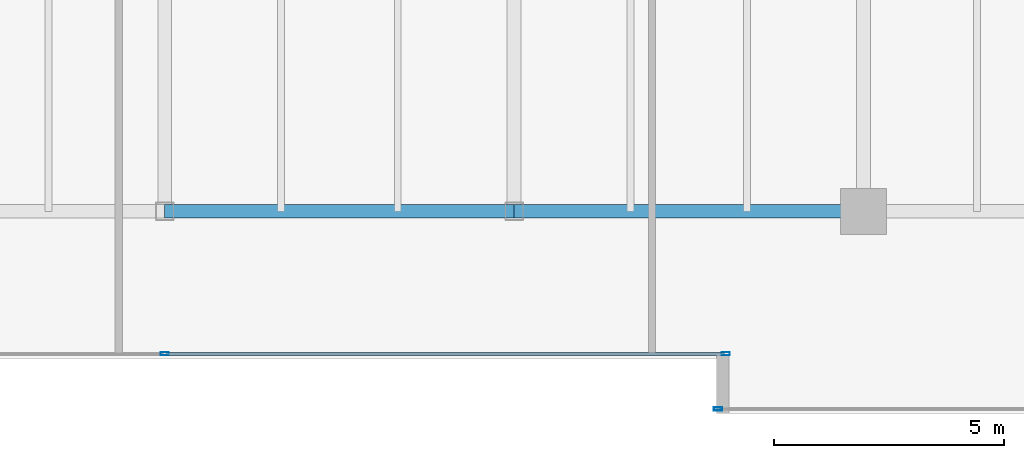
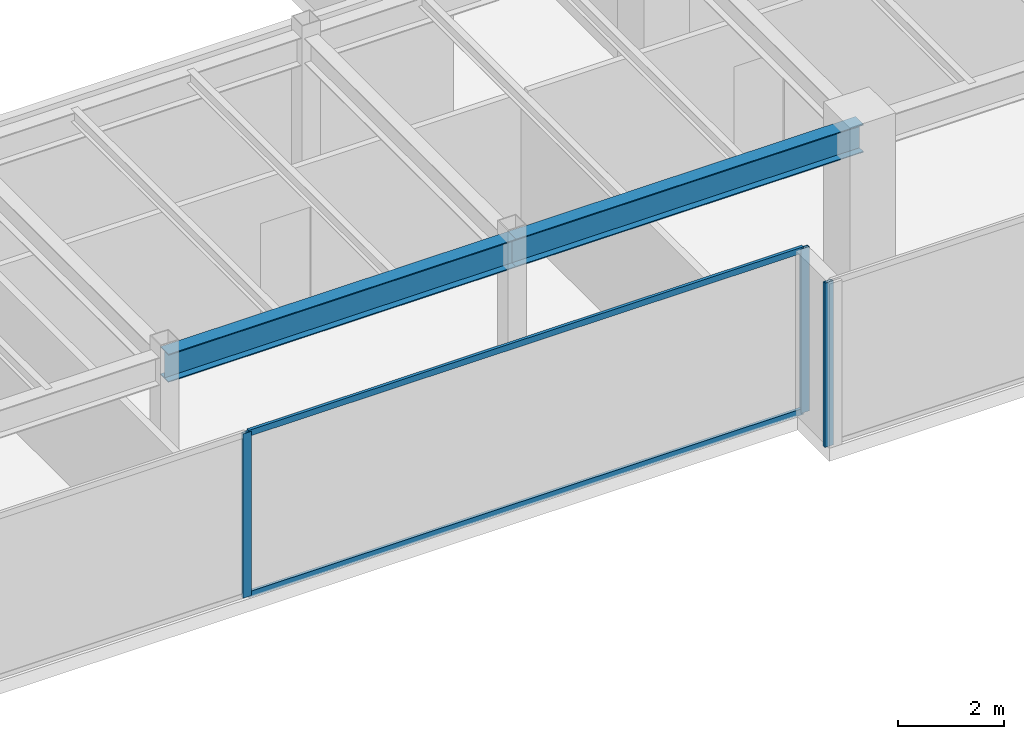
# One storey, part 11 of 33: 5 members, 2 beams, 2 elements without a shape of their own.
"""IFC4 building model written with IfcOpenShell, lengths in metres."""

import ifcopenshell
import ifcopenshell.guid

model = None  # the IFC model being written
_history = None  # IfcOwnerHistory: only IFC2X3 demands one
_inside = {}  # id of a spatial element -> (the spatial element, [elements in it])
_under = {}  # id of a project, library or spatial element -> (it, [spatial elements below it])
_declared = {}  # id of a project -> (the project, [libraries it declares])
_typed = {}  # id of a type object -> (the type object, [elements of that type])
_made_of = {}  # id of a material, layer set ... -> (it, [elements and type objects made of it])


def new_model(schema):
    """Start an empty IFC model of exactly this schema.

    Asked for "IFC4X3", IfcOpenShell would pick the latest addendum, in which some entities
    have other attributes; the version numbers below select the first issue.
    IFC2X3 requires an IfcOwnerHistory on every rooted entity: one is made here for all.
    """
    global model, _history
    if schema == "IFC4X3":
        model = ifcopenshell.file(schema_version=(4, 3, 0, 0))
    else:
        model = ifcopenshell.file(schema=schema)
    _inside.clear()
    _under.clear()
    _declared.clear()
    _typed.clear()
    _made_of.clear()
    _history = None
    if model.schema == "IFC2X3":
        org = make("IfcOrganization", Name="unknown")
        user = make(
            "IfcPersonAndOrganization",
            ThePerson=make("IfcPerson", FamilyName="unknown"),
            TheOrganization=org,
        )
        app = make(
            "IfcApplication",
            ApplicationDeveloper=org,
            Version="unknown",
            ApplicationFullName="unknown",
            ApplicationIdentifier="unknown",
        )
        _history = make(
            "IfcOwnerHistory",
            OwningUser=user,
            OwningApplication=app,
            ChangeAction="ADDED",
            CreationDate=0,
        )
    return model


def make(cls, **values):
    """One entity of the class cls with the attributes given. An attribute that is None is left unset."""
    return model.create_entity(
        cls, **{name: value for name, value in values.items() if value is not None}
    )


def rooted(cls, **values):
    """An entity with a GlobalId (a new one), such as an element, a storey or a relation."""
    return make(cls, GlobalId=ifcopenshell.guid.new(), OwnerHistory=_history, **values)


def si_unit(unit_type, name, prefix=None):
    """IfcSIUnit, for example si_unit("LENGTHUNIT", "METRE", prefix="MILLI")."""
    return make("IfcSIUnit", UnitType=unit_type, Prefix=prefix, Name=name)


def assignment(units):
    """IfcUnitAssignment: the units of a project."""
    return None if units is None else make("IfcUnitAssignment", Units=units)


def point(xyz):
    """IfcCartesianPoint."""
    return None if xyz is None else make("IfcCartesianPoint", Coordinates=xyz)


def direction(xyz):
    """IfcDirection."""
    return None if xyz is None else make("IfcDirection", DirectionRatios=xyz)


def frame(location, z_axis=None, x_axis=None):
    """IfcAxis2Placement3D, a coordinate frame: its origin and axes. An axis left out is left unset."""
    return make(
        "IfcAxis2Placement3D",
        Location=point(location),
        Axis=direction(z_axis),
        RefDirection=direction(x_axis),
    )


def frame_2d(location, x_axis=None):
    """IfcAxis2Placement2D, a coordinate frame in the plane: its origin and x axis."""
    return make(
        "IfcAxis2Placement2D", Location=point(location), RefDirection=direction(x_axis)
    )


def origin():
    """The frame at (0, 0, 0) with its axes left unset."""
    return frame((0.0, 0.0, 0.0))


def origin_2d():
    """The frame at (0, 0) in the plane with its x axis left unset."""
    return frame_2d((0.0, 0.0))


def place(relative_to, where):
    """IfcLocalPlacement: puts the frame where relative to a parent placement (None: the world)."""
    return make(
        "IfcLocalPlacement", PlacementRelTo=relative_to, RelativePlacement=where
    )


def context(
    kind, dimensions, precision=None, world=None, true_north=None, identifier=None
):
    """IfcGeometricRepresentationContext, for example the 3D "Model" context."""
    return make(
        "IfcGeometricRepresentationContext",
        ContextIdentifier=identifier,
        ContextType=kind,
        CoordinateSpaceDimension=dimensions,
        Precision=precision,
        WorldCoordinateSystem=world,
        TrueNorth=true_north,
    )


def subcontext(parent, identifier, kind, view, scale=None):
    """IfcGeometricRepresentationSubContext, for example "Body" below "Model"."""
    return make(
        "IfcGeometricRepresentationSubContext",
        ContextIdentifier=identifier,
        ContextType=kind,
        ParentContext=parent,
        TargetScale=scale,
        TargetView=view,
    )


def project(units=None, contexts=None):
    """IfcProject with its units and contexts."""
    return rooted(
        "IfcProject",
        Name="project",
        RepresentationContexts=contexts,
        UnitsInContext=assignment(units),
    )


def spatial(cls, under=None, at=None, **own):
    """A site, building, storey or space (cls), placed at a placement, below another one or the project."""
    s = rooted(cls, ObjectPlacement=at, **own)
    if under is not None:
        _under.setdefault(under.id(), (under, []))[1].append(s)
    return s


def profile(cls, at=None, kind="AREA", **sizes):
    """A parametric profile (cls). Its sizes go by their IFC names, for example OverallWidth=200.0."""
    return make(cls, ProfileType=kind, Position=at, **sizes)


def hollow_rectangle(**sizes):
    """IfcRectangleHollowProfileDef."""
    return profile("IfcRectangleHollowProfileDef", **sizes)


def i_section(**sizes):
    """IfcIShapeProfileDef."""
    return profile("IfcIShapeProfileDef", **sizes)


def extrude(swept, where, along, depth):
    """IfcExtrudedAreaSolid: the profile swept, set in the frame where, extruded along a direction by depth."""
    return make(
        "IfcExtrudedAreaSolid",
        SweptArea=swept,
        Position=where,
        ExtrudedDirection=direction(along),
        Depth=depth,
    )


def shape(context_of_items, identifier, shape_type, items):
    """IfcShapeRepresentation: the items that make up one representation, for example the "Body"."""
    return make(
        "IfcShapeRepresentation",
        ContextOfItems=context_of_items,
        RepresentationIdentifier=identifier,
        RepresentationType=shape_type,
        Items=items,
    )


def source(mapping_origin, context_of_items, identifier, shape_type, items):
    """IfcRepresentationMap: a shape defined once, which mapped items show again and again."""
    return make(
        "IfcRepresentationMap",
        MappingOrigin=mapping_origin,
        MappedRepresentation=shape(context_of_items, identifier, shape_type, items),
    )


def transform(
    local_origin,
    x_axis=None,
    y_axis=None,
    z_axis=None,
    scale=None,
    scale2=None,
    scale3=None,
    uniform=True,
):
    """IfcCartesianTransformationOperator3D, or its non-uniform kind. x_axis, y_axis, z_axis: its Axis1, 2, 3."""
    if uniform:
        return make(
            "IfcCartesianTransformationOperator3D",
            Axis1=direction(x_axis),
            Axis2=direction(y_axis),
            LocalOrigin=point(local_origin),
            Scale=scale,
            Axis3=direction(z_axis),
        )
    return make(
        "IfcCartesianTransformationOperator3DnonUniform",
        Axis1=direction(x_axis),
        Axis2=direction(y_axis),
        LocalOrigin=point(local_origin),
        Scale=scale,
        Axis3=direction(z_axis),
        Scale2=scale2,
        Scale3=scale3,
    )


def mapped(mapping_source, mapping_target):
    """IfcMappedItem: shows the shape of a source again, moved by a transform."""
    return make(
        "IfcMappedItem", MappingSource=mapping_source, MappingTarget=mapping_target
    )


def material(Name=None, Category=None):
    """IfcMaterial."""
    return make("IfcMaterial", Name=Name, Category=Category)


def layer(
    of_material, thickness, ventilated=None, Name=None, Category=None, Priority=None
):
    """IfcMaterialLayer: one layer of a wall or slab, of a material (None: an air gap)."""
    return make(
        "IfcMaterialLayer",
        Material=of_material,
        LayerThickness=thickness,
        IsVentilated=ventilated,
        Name=Name,
        Category=Category,
        Priority=Priority,
    )


def layer_set(layers, Name=None):
    """IfcMaterialLayerSet."""
    return make("IfcMaterialLayerSet", MaterialLayers=layers, LayerSetName=Name)


def material_profile(
    of_material, cross_section, Name=None, Category=None, Priority=None
):
    """IfcMaterialProfile: a cross section and its material."""
    return make(
        "IfcMaterialProfile",
        Name=Name,
        Material=of_material,
        Profile=cross_section,
        Priority=Priority,
        Category=Category,
    )


def profile_set(profiles, Name=None, composite=None):
    """IfcMaterialProfileSet."""
    return make(
        "IfcMaterialProfileSet",
        Name=Name,
        MaterialProfiles=profiles,
        CompositeProfile=composite,
    )


def made_of(thing, what):
    """Note that an element or type object is made of a material, layer set ...; save() writes the relation."""
    if what is not None:
        _made_of.setdefault(what.id(), (what, []))[1].append(thing)
    return thing


def type_object(cls, material=None, **own):
    """A type object (cls), such as IfcWallType, which elements share."""
    return made_of(rooted(cls, **own), material)


def type_shapes(of_type, sources):
    """Give a type object the sources (RepresentationMaps) that its elements show as mapped items."""
    of_type.RepresentationMaps = sources


def element(
    cls,
    number,
    at=None,
    inside=None,
    cuts=None,
    type_object=None,
    material=None,
    context=None,
    identifier="Body",
    shape_type=None,
    held_by="IfcProductDefinitionShape",
    body=None,
    shapes=None,
    **own,
):
    """One element of the class cls, such as IfcWall. Its Tag is "e" and its number.

    at: its placement. inside: the storey or other place that contains it. cuts: it is an
    opening in that element (IfcRelVoidsElement). A single representation is given by context,
    identifier, shape_type and body (its items); several are given by shapes. held_by: the class
    of the entity that holds the representations. save() writes the other relations.
    """
    e = rooted(cls, Tag="e%d" % number, ObjectPlacement=at, **own)
    if body is not None:
        shapes = [shape(context, identifier, shape_type, body)]
    if shapes is not None:
        e.Representation = make(held_by, Representations=shapes)
    if inside is not None:
        _inside.setdefault(inside.id(), (inside, []))[1].append(e)
    if cuts is not None:
        rooted(
            "IfcRelVoidsElement", RelatingBuildingElement=cuts, RelatedOpeningElement=e
        )
    if type_object is not None:
        _typed.setdefault(type_object.id(), (type_object, []))[1].append(e)
    return made_of(e, material)


def aggregate(whole, parts):
    """IfcRelAggregates: a whole, such as a stair, and the parts it consists of."""
    return rooted("IfcRelAggregates", RelatingObject=whole, RelatedObjects=parts)


def save(model, path):
    """Write the relations noted so far, then the file.

    IfcRelAggregates (storeys below a building ...), IfcRelContainedInSpatialStructure (elements
    in a storey), IfcRelDefinesByType, IfcRelAssociatesMaterial and IfcRelDeclares: one each for
    every whole, place, type object, material and project.
    """
    for whole, parts in _under.values():
        aggregate(whole, parts)
    for where, things in _inside.values():
        rooted(
            "IfcRelContainedInSpatialStructure",
            RelatedElements=things,
            RelatingStructure=where,
        )
    for kind, things in _typed.values():
        rooted("IfcRelDefinesByType", RelatedObjects=things, RelatingType=kind)
    for what, things in _made_of.values():
        rooted("IfcRelAssociatesMaterial", RelatedObjects=things, RelatingMaterial=what)
    for by, libraries in _declared.values():
        rooted("IfcRelDeclares", RelatingContext=by, RelatedDefinitions=libraries)
    model.write(path)


model = new_model("IFC4")

# Units and contexts
model_context = context("Model", 3, precision=1e-05, world=origin(), true_north=direction((0.0, 1.0)))
body_context = subcontext(model_context, "Body", "Model", "MODEL_VIEW")
ifc_project = project(units=[si_unit("LENGTHUNIT", "METRE"), si_unit("AREAUNIT", "SQUARE_METRE"), si_unit("VOLUMEUNIT", "CUBIC_METRE"), si_unit("PLANEANGLEUNIT", "RADIAN"), si_unit("MASSUNIT", "GRAM", prefix="KILO")], contexts=[model_context])

# Site, building, storey
site_placement = place(None, origin())
site = spatial("IfcSite", under=ifc_project, at=site_placement, CompositionType="ELEMENT")
building_placement = place(site_placement, origin())
building = spatial("IfcBuilding", under=site, at=building_placement, Name="Haelvirn Gate Laboratories", CompositionType="ELEMENT")
storey_placement = place(building_placement, frame((0.0, 0.0, 238.300048828125)))
storey = spatial("IfcBuildingStorey", under=building, at=storey_placement, Name="L57", CompositionType="ELEMENT", Elevation=238.300048828125)

# Beams
ifc_material_1 = material(Name="Steel SM355", Category="steel")
ifc_material_profile_1 = material_profile(ifc_material_1, i_section(OverallWidth=0.300048828125, OverallDepth=0.64990234375, WebThickness=0.012939453125, FlangeThickness=0.02197265625, at=origin_2d()), Name="H-650x300x13x22")
ifc_profile_set_1 = profile_set([ifc_material_profile_1], Name="Steel SM355")
beam_type = type_object("IfcBeamType", Name="BM-G-650", PredefinedType="BEAM", material=ifc_profile_set_1)
shared_shape_1 = source(origin(), body_context, "Body", "SweptSolid", [
    extrude(i_section(OverallWidth=0.300048828125, OverallDepth=0.64990234375, WebThickness=0.012939453125, FlangeThickness=0.02197265625, at=origin_2d()), origin(), (0.0, 0.0, 1.0), 7.60009765625),
])
type_shapes(beam_type, [shared_shape_1])
for number, where, z_axis, x_axis, name in (
    (1, (37.39990234375, 7.0, 3.474853515625), (1.0, 0.0, 0.0), (0.0, 1.0, 0.0), "L57 Primary Girder Y7.0 (37.4-45.0)"),
    (2, (45.0, 7.0, 3.474853515625), (1.0, 0.0, 0.0), (0.0, 1.0, 0.0), "L57 Primary Girder Y7.0 (45.0-52.6)"),
):
    element("IfcBeam", number, at=place(storey_placement, frame(where, z_axis=z_axis, x_axis=x_axis)), inside=storey, type_object=beam_type, Name=name, PredefinedType="BEAM", context=body_context, shape_type="MappedRepresentation", body=[
        mapped(shared_shape_1, transform((0.0, 0.0, 0.0), scale=1.0)),
    ])

# Curtain wall, members
ifc_material_2 = material(Name="Anodised bronze unitised aluminium & triple low-E glass", Category="aluminium")
ifc_layer = layer(ifc_material_2, 0.176025390625, Name="CW-SYS-4")
ifc_layer_set = layer_set([ifc_layer], Name="Anodised bronze unitised aluminium & triple low-E glass")
curtain_wall_type = type_object("IfcCurtainWallType", Name="CW-SYS-4", PredefinedType="NOTDEFINED", material=ifc_layer_set)
curtain_wall_1_placement = place(storey_placement, origin())
curtain_wall_1 = element("IfcCurtainWall", 3, at=curtain_wall_1_placement, inside=storey, type_object=curtain_wall_type, Name="L57 Unitised Curtain Wall CW-L57-P0-E02-1", PredefinedType="NOTDEFINED")
ifc_material_3 = material(Name="Extruded aluminium 6063-T6 (anodised bronze)", Category="aluminium")
ifc_material_profile_2 = material_profile(ifc_material_3, hollow_rectangle(XDim=0.06494140625, YDim=0.139892578125, WallThickness=0.00390625, at=origin_2d()), Name="CWT-140x65x4")
ifc_profile_set_2 = profile_set([ifc_material_profile_2], Name="Extruded aluminium 6063-T6 (anodised bronze)")
member_type_1 = type_object("IfcMemberType", Name="CWT-T140", PredefinedType="USERDEFINED", material=ifc_profile_set_2)
shared_shape_2 = source(origin(), body_context, "Body", "SweptSolid", [
    extrude(hollow_rectangle(XDim=0.06494140625, YDim=0.139892578125, WallThickness=0.00390625, at=origin_2d()), origin(), (0.0, 0.0, 1.0), 12.135009765625),
])
type_shapes(member_type_1, [shared_shape_2])
member_1_placement = place(storey_placement, frame((37.43505859375, 3.89990234375, 0.032470703125), z_axis=(1.0, 0.0, 0.0), x_axis=(0.0, 1.0, 0.0)))
member_1 = element("IfcMember", 4, at=member_1_placement, type_object=member_type_1, Name="CW4 transom 2.1", ObjectType="TRANSOM", PredefinedType="USERDEFINED", context=body_context, shape_type="MappedRepresentation", body=[
    mapped(shared_shape_2, transform((0.0, 0.0, 0.0), scale=1.0)),
])
member_2_placement = place(storey_placement, frame((37.43505859375, 3.89990234375, 3.767333984375), z_axis=(1.0, 0.0, 0.0), x_axis=(0.0, 1.0, 0.0)))
member_2 = element("IfcMember", 5, at=member_2_placement, type_object=member_type_1, Name="CW4 transom 2.2", ObjectType="TRANSOM", PredefinedType="USERDEFINED", context=body_context, shape_type="MappedRepresentation", body=[
    mapped(shared_shape_2, transform((0.0, 0.0, 0.0), scale=1.0)),
])
ifc_material_profile_3 = material_profile(ifc_material_3, hollow_rectangle(XDim=0.070068359375, YDim=0.179931640625, WallThickness=0.0048828125, at=origin_2d()), Name="CWM-180x70x5")
ifc_profile_set_3 = profile_set([ifc_material_profile_3], Name="Extruded aluminium 6063-T6 (anodised bronze)")
member_type_2 = type_object("IfcMemberType", Name="CWM-T180", PredefinedType="MULLION", material=ifc_profile_set_3)
shared_shape_3 = source(origin(), body_context, "Body", "SweptSolid", [
    extrude(hollow_rectangle(XDim=0.070068359375, YDim=0.179931640625, WallThickness=0.0048828125, at=origin_2d()), origin(), (0.0, 0.0, 1.0), 3.800048828125),
])
type_shapes(member_type_2, [shared_shape_3])
member_3_placement = place(storey_placement, frame((37.39990234375, 3.89990234375, 0.0), z_axis=(0.0, 0.0, 1.0), x_axis=(0.0, 1.0, 0.0)))
member_3 = element("IfcMember", 6, at=member_3_placement, type_object=member_type_2, Name="CW4 mullion 2", PredefinedType="MULLION", context=body_context, shape_type="MappedRepresentation", body=[
    mapped(shared_shape_3, transform((0.0, 0.0, 0.0), scale=1.0)),
])
member_4_placement = place(storey_placement, frame((49.60498046875, 3.89990234375, 0.0), z_axis=(0.0, 0.0, 1.0), x_axis=(0.0, 1.0, 0.0)))
member_4 = element("IfcMember", 7, at=member_4_placement, type_object=member_type_2, Name="CW4 mullion 3", PredefinedType="MULLION", context=body_context, shape_type="MappedRepresentation", body=[
    mapped(shared_shape_3, transform((0.0, 0.0, 0.0), scale=1.0)),
])
aggregate(curtain_wall_1, [member_3, member_4, member_1, member_2])

# Curtain wall, member
curtain_wall_2_placement = place(storey_placement, origin())
curtain_wall_2 = element("IfcCurtainWall", 8, at=curtain_wall_2_placement, inside=storey, type_object=curtain_wall_type, Name="L57 Unitised Curtain Wall CW-L57-P0-E04-1", PredefinedType="NOTDEFINED")
member_5_placement = place(storey_placement, frame((49.43505859375, 2.699951171875, 0.0), z_axis=(0.0, 0.0, 1.0), x_axis=(0.0, 1.0, 0.0)))
member_5 = element("IfcMember", 9, at=member_5_placement, type_object=member_type_2, Name="CW4 mullion 1", PredefinedType="MULLION", context=body_context, shape_type="MappedRepresentation", body=[
    mapped(shared_shape_3, transform((0.0, 0.0, 0.0), scale=1.0)),
])
aggregate(curtain_wall_2, [member_5])

save(model, "model.ifc")
